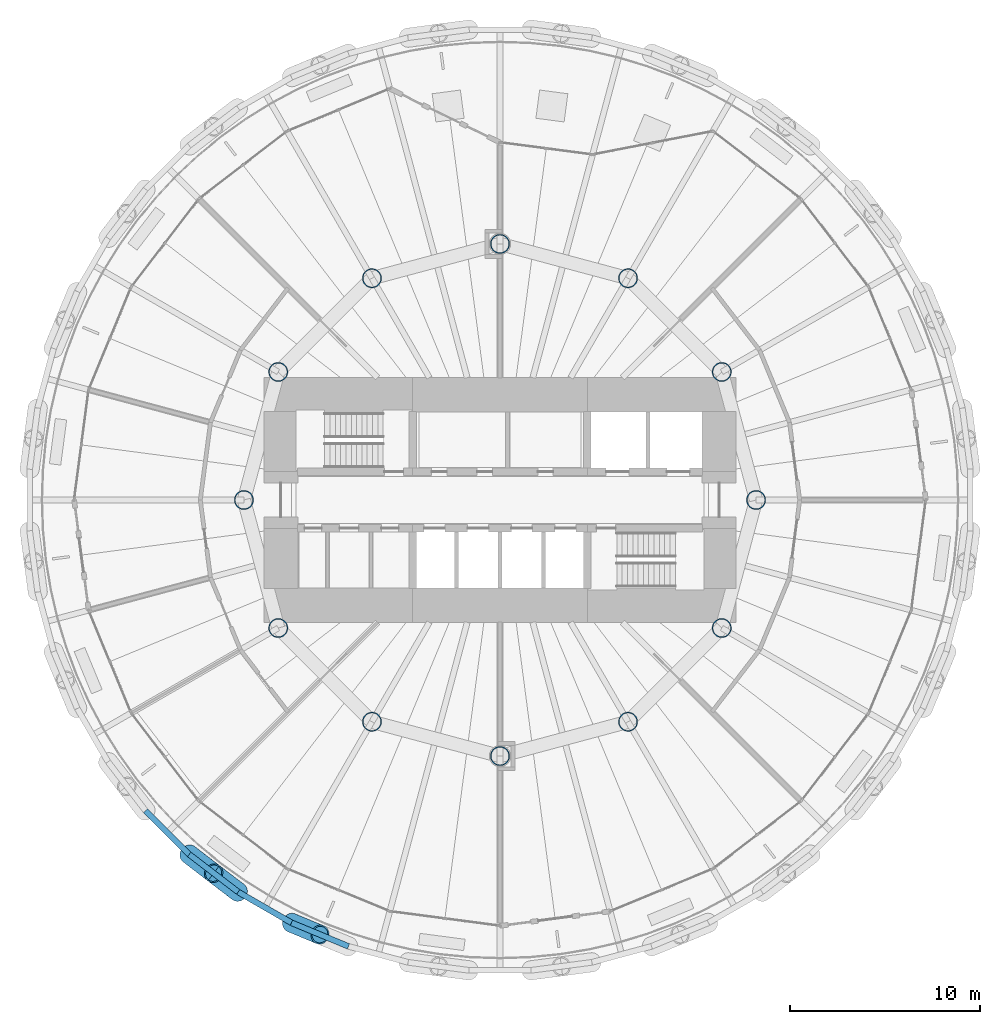
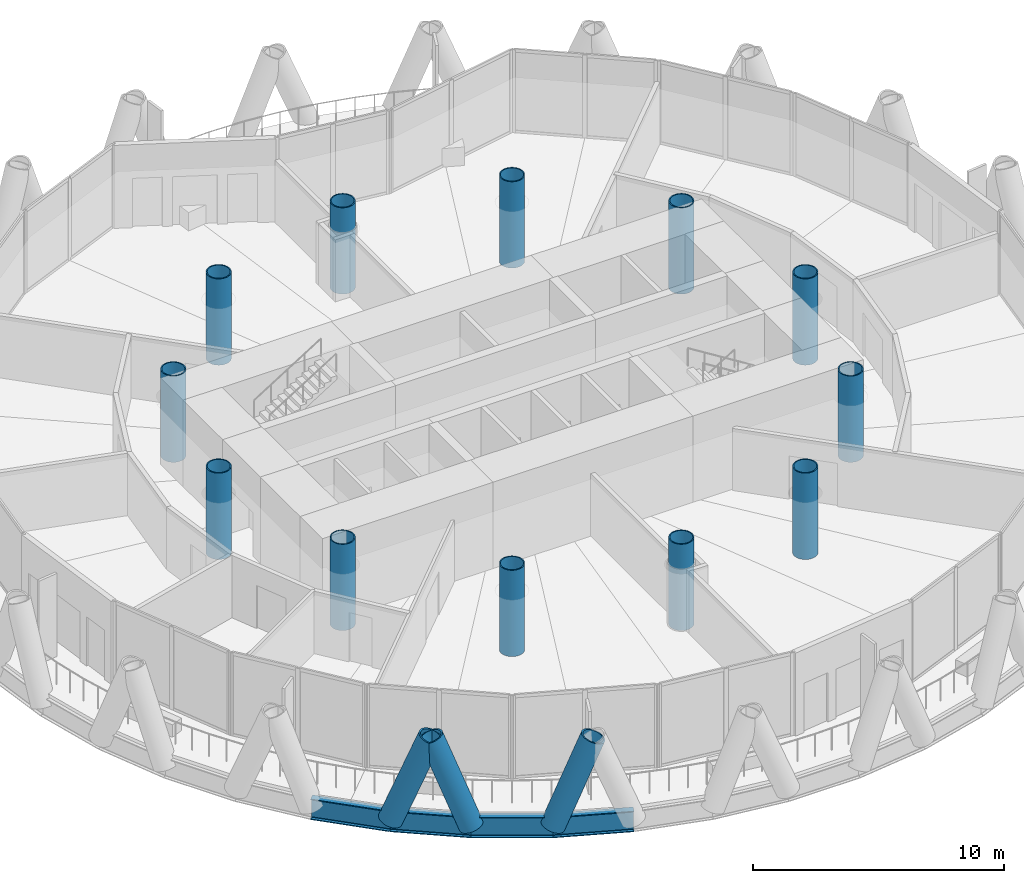
# One storey, part 1 of 15: 12 columns, 4 beams, 3 members.
"""IFC4 building model written with IfcOpenShell, lengths in metres."""

import ifcopenshell
import ifcopenshell.guid

model = None  # the IFC model being written
_history = None  # IfcOwnerHistory: only IFC2X3 demands one
_inside = {}  # id of a spatial element -> (the spatial element, [elements in it])
_under = {}  # id of a project, library or spatial element -> (it, [spatial elements below it])
_declared = {}  # id of a project -> (the project, [libraries it declares])
_typed = {}  # id of a type object -> (the type object, [elements of that type])
_made_of = {}  # id of a material, layer set ... -> (it, [elements and type objects made of it])


def new_model(schema):
    """Start an empty IFC model of exactly this schema.

    Asked for "IFC4X3", IfcOpenShell would pick the latest addendum, in which some entities
    have other attributes; the version numbers below select the first issue.
    IFC2X3 requires an IfcOwnerHistory on every rooted entity: one is made here for all.
    """
    global model, _history
    if schema == "IFC4X3":
        model = ifcopenshell.file(schema_version=(4, 3, 0, 0))
    else:
        model = ifcopenshell.file(schema=schema)
    _inside.clear()
    _under.clear()
    _declared.clear()
    _typed.clear()
    _made_of.clear()
    _history = None
    if model.schema == "IFC2X3":
        org = make("IfcOrganization", Name="unknown")
        user = make(
            "IfcPersonAndOrganization",
            ThePerson=make("IfcPerson", FamilyName="unknown"),
            TheOrganization=org,
        )
        app = make(
            "IfcApplication",
            ApplicationDeveloper=org,
            Version="unknown",
            ApplicationFullName="unknown",
            ApplicationIdentifier="unknown",
        )
        _history = make(
            "IfcOwnerHistory",
            OwningUser=user,
            OwningApplication=app,
            ChangeAction="ADDED",
            CreationDate=0,
        )
    return model


def make(cls, **values):
    """One entity of the class cls with the attributes given. An attribute that is None is left unset."""
    return model.create_entity(
        cls, **{name: value for name, value in values.items() if value is not None}
    )


def rooted(cls, **values):
    """An entity with a GlobalId (a new one), such as an element, a storey or a relation."""
    return make(cls, GlobalId=ifcopenshell.guid.new(), OwnerHistory=_history, **values)


def si_unit(unit_type, name, prefix=None):
    """IfcSIUnit, for example si_unit("LENGTHUNIT", "METRE", prefix="MILLI")."""
    return make("IfcSIUnit", UnitType=unit_type, Prefix=prefix, Name=name)


def assignment(units):
    """IfcUnitAssignment: the units of a project."""
    return None if units is None else make("IfcUnitAssignment", Units=units)


def point(xyz):
    """IfcCartesianPoint."""
    return None if xyz is None else make("IfcCartesianPoint", Coordinates=xyz)


def direction(xyz):
    """IfcDirection."""
    return None if xyz is None else make("IfcDirection", DirectionRatios=xyz)


def frame(location, z_axis=None, x_axis=None):
    """IfcAxis2Placement3D, a coordinate frame: its origin and axes. An axis left out is left unset."""
    return make(
        "IfcAxis2Placement3D",
        Location=point(location),
        Axis=direction(z_axis),
        RefDirection=direction(x_axis),
    )


def frame_2d(location, x_axis=None):
    """IfcAxis2Placement2D, a coordinate frame in the plane: its origin and x axis."""
    return make(
        "IfcAxis2Placement2D", Location=point(location), RefDirection=direction(x_axis)
    )


def origin():
    """The frame at (0, 0, 0) with its axes left unset."""
    return frame((0.0, 0.0, 0.0))


def origin_2d():
    """The frame at (0, 0) in the plane with its x axis left unset."""
    return frame_2d((0.0, 0.0))


def place(relative_to, where):
    """IfcLocalPlacement: puts the frame where relative to a parent placement (None: the world)."""
    return make(
        "IfcLocalPlacement", PlacementRelTo=relative_to, RelativePlacement=where
    )


def context(
    kind, dimensions, precision=None, world=None, true_north=None, identifier=None
):
    """IfcGeometricRepresentationContext, for example the 3D "Model" context."""
    return make(
        "IfcGeometricRepresentationContext",
        ContextIdentifier=identifier,
        ContextType=kind,
        CoordinateSpaceDimension=dimensions,
        Precision=precision,
        WorldCoordinateSystem=world,
        TrueNorth=true_north,
    )


def subcontext(parent, identifier, kind, view, scale=None):
    """IfcGeometricRepresentationSubContext, for example "Body" below "Model"."""
    return make(
        "IfcGeometricRepresentationSubContext",
        ContextIdentifier=identifier,
        ContextType=kind,
        ParentContext=parent,
        TargetScale=scale,
        TargetView=view,
    )


def project(units=None, contexts=None):
    """IfcProject with its units and contexts."""
    return rooted(
        "IfcProject",
        Name="project",
        RepresentationContexts=contexts,
        UnitsInContext=assignment(units),
    )


def spatial(cls, under=None, at=None, **own):
    """A site, building, storey or space (cls), placed at a placement, below another one or the project."""
    s = rooted(cls, ObjectPlacement=at, **own)
    if under is not None:
        _under.setdefault(under.id(), (under, []))[1].append(s)
    return s


def profile(cls, at=None, kind="AREA", **sizes):
    """A parametric profile (cls). Its sizes go by their IFC names, for example OverallWidth=200.0."""
    return make(cls, ProfileType=kind, Position=at, **sizes)


def hollow_circle(**sizes):
    """IfcCircleHollowProfileDef."""
    return profile("IfcCircleHollowProfileDef", **sizes)


def i_section(**sizes):
    """IfcIShapeProfileDef."""
    return profile("IfcIShapeProfileDef", **sizes)


def extrude(swept, where, along, depth):
    """IfcExtrudedAreaSolid: the profile swept, set in the frame where, extruded along a direction by depth."""
    return make(
        "IfcExtrudedAreaSolid",
        SweptArea=swept,
        Position=where,
        ExtrudedDirection=direction(along),
        Depth=depth,
    )


def shape(context_of_items, identifier, shape_type, items):
    """IfcShapeRepresentation: the items that make up one representation, for example the "Body"."""
    return make(
        "IfcShapeRepresentation",
        ContextOfItems=context_of_items,
        RepresentationIdentifier=identifier,
        RepresentationType=shape_type,
        Items=items,
    )


def material(Name=None, Category=None):
    """IfcMaterial."""
    return make("IfcMaterial", Name=Name, Category=Category)


def material_profile(
    of_material, cross_section, Name=None, Category=None, Priority=None
):
    """IfcMaterialProfile: a cross section and its material."""
    return make(
        "IfcMaterialProfile",
        Name=Name,
        Material=of_material,
        Profile=cross_section,
        Priority=Priority,
        Category=Category,
    )


def profile_set(profiles, Name=None, composite=None):
    """IfcMaterialProfileSet."""
    return make(
        "IfcMaterialProfileSet",
        Name=Name,
        MaterialProfiles=profiles,
        CompositeProfile=composite,
    )


def made_of(thing, what):
    """Note that an element or type object is made of a material, layer set ...; save() writes the relation."""
    if what is not None:
        _made_of.setdefault(what.id(), (what, []))[1].append(thing)
    return thing


def type_object(cls, material=None, **own):
    """A type object (cls), such as IfcWallType, which elements share."""
    return made_of(rooted(cls, **own), material)


def element(
    cls,
    number,
    at=None,
    inside=None,
    cuts=None,
    type_object=None,
    material=None,
    context=None,
    identifier="Body",
    shape_type=None,
    held_by="IfcProductDefinitionShape",
    body=None,
    shapes=None,
    **own,
):
    """One element of the class cls, such as IfcWall. Its Tag is "e" and its number.

    at: its placement. inside: the storey or other place that contains it. cuts: it is an
    opening in that element (IfcRelVoidsElement). A single representation is given by context,
    identifier, shape_type and body (its items); several are given by shapes. held_by: the class
    of the entity that holds the representations. save() writes the other relations.
    """
    e = rooted(cls, Tag="e%d" % number, ObjectPlacement=at, **own)
    if body is not None:
        shapes = [shape(context, identifier, shape_type, body)]
    if shapes is not None:
        e.Representation = make(held_by, Representations=shapes)
    if inside is not None:
        _inside.setdefault(inside.id(), (inside, []))[1].append(e)
    if cuts is not None:
        rooted(
            "IfcRelVoidsElement", RelatingBuildingElement=cuts, RelatedOpeningElement=e
        )
    if type_object is not None:
        _typed.setdefault(type_object.id(), (type_object, []))[1].append(e)
    return made_of(e, material)


def aggregate(whole, parts):
    """IfcRelAggregates: a whole, such as a stair, and the parts it consists of."""
    return rooted("IfcRelAggregates", RelatingObject=whole, RelatedObjects=parts)


def save(model, path):
    """Write the relations noted so far, then the file.

    IfcRelAggregates (storeys below a building ...), IfcRelContainedInSpatialStructure (elements
    in a storey), IfcRelDefinesByType, IfcRelAssociatesMaterial and IfcRelDeclares: one each for
    every whole, place, type object, material and project.
    """
    for whole, parts in _under.values():
        aggregate(whole, parts)
    for where, things in _inside.values():
        rooted(
            "IfcRelContainedInSpatialStructure",
            RelatedElements=things,
            RelatingStructure=where,
        )
    for kind, things in _typed.values():
        rooted("IfcRelDefinesByType", RelatedObjects=things, RelatingType=kind)
    for what, things in _made_of.values():
        rooted("IfcRelAssociatesMaterial", RelatedObjects=things, RelatingMaterial=what)
    for by, libraries in _declared.values():
        rooted("IfcRelDeclares", RelatingContext=by, RelatedDefinitions=libraries)
    model.write(path)


model = new_model("IFC4")

# Units and contexts
model_context = context("Model", 3, precision=1e-05, world=origin(), true_north=direction((0.0, 1.0)))
body_context = subcontext(model_context, "Body", "Model", "MODEL_VIEW")
ifc_project = project(units=[si_unit("LENGTHUNIT", "METRE"), si_unit("AREAUNIT", "SQUARE_METRE"), si_unit("VOLUMEUNIT", "CUBIC_METRE"), si_unit("PLANEANGLEUNIT", "RADIAN"), si_unit("MASSUNIT", "GRAM", prefix="KILO")], contexts=[model_context])

# Site, building, storey
site_placement = place(None, origin())
site = spatial("IfcSite", under=ifc_project, at=site_placement, CompositionType="ELEMENT")
building_placement = place(site_placement, origin())
building = spatial("IfcBuilding", under=site, at=building_placement, Name="Qaws Media Tower", CompositionType="ELEMENT")
storey_placement = place(building_placement, frame((0.0, 0.0, 147.800048828125)))
storey = spatial("IfcBuildingStorey", under=building, at=storey_placement, Name="L33", CompositionType="ELEMENT", Elevation=147.800048828125)

# Columns
ifc_material_1 = material(Name="Steel S460", Category="steel")
ifc_material_profile_1 = material_profile(ifc_material_1, hollow_circle(Radius=0.508056640625, WallThickness=0.050048828125, at=origin_2d()), Name="CHS 1016x50")
ifc_profile_set_1 = profile_set([ifc_material_profile_1], Name="Steel S460")
column_type = type_object("IfcColumnType", Name="Inner column CHS 1016x50", PredefinedType="COLUMN", material=ifc_profile_set_1)
for number, where, z_axis, x_axis, name in (
    (1, (73.5, 50.0, 0.0), (0.0, 0.0, 1.0), (1.0, 0.0, 0.0), "C2 inner column I01 L33"),
    (2, (71.69140625, 56.75, 0.0), (0.0, 0.0, 1.0), (1.0, 0.0, 0.0), "C2 inner column I02 L33"),
    (3, (66.75, 61.69140625, 0.0), (0.0, 0.0, 1.0), (1.0, 0.0, 0.0), "C2 inner column I03 L33"),
    (4, (60.0, 63.5, 0.0), (0.0, 0.0, 1.0), (1.0, 0.0, 0.0), "C2 inner column I04 L33"),
    (5, (53.25, 61.69140625, 0.0), (0.0, 0.0, 1.0), (1.0, 0.0, 0.0), "C2 inner column I05 L33"),
    (6, (48.30859375, 56.75, 0.0), (0.0, 0.0, 1.0), (1.0, 0.0, 0.0), "C2 inner column I06 L33"),
    (7, (46.5, 50.0, 0.0), (0.0, 0.0, 1.0), (1.0, 0.0, 0.0), "C2 inner column I07 L33"),
    (8, (48.30859375, 43.25, 0.0), (0.0, 0.0, 1.0), (1.0, 0.0, 0.0), "C2 inner column I08 L33"),
    (9, (53.25, 38.30859375, 0.0), (0.0, 0.0, 1.0), (1.0, 0.0, 0.0), "C2 inner column I09 L33"),
    (10, (60.0, 36.5, 0.0), (0.0, 0.0, 1.0), (1.0, 0.0, 0.0), "C2 inner column I10 L33"),
    (11, (66.75, 38.30859375, 0.0), (0.0, 0.0, 1.0), (1.0, 0.0, 0.0), "C2 inner column I11 L33"),
    (12, (71.69140625, 43.25, 0.0), (0.0, 0.0, 1.0), (1.0, 0.0, 0.0), "C2 inner column I12 L33"),
):
    element("IfcColumn", number, at=place(storey_placement, frame(where, z_axis=z_axis, x_axis=x_axis)), inside=storey, type_object=column_type, Name=name, PredefinedType="COLUMN", context=body_context, shape_type="SweptSolid", body=[
        extrude(hollow_circle(Radius=0.508056640625, WallThickness=0.050048828125, at=origin_2d()), origin(), (0.0, 0.0, 1.0), 4.199951171875),
    ])

# Members
ifc_material_2 = material(Name="Steel S460", Category="steel")
ifc_material_profile_2 = material_profile(ifc_material_2, hollow_circle(Radius=0.508056640625, WallThickness=0.070068359375, at=origin_2d()), Name="CHS 1016x70")
ifc_profile_set_2 = profile_set([ifc_material_profile_2], Name="Steel S460")
member_type = type_object("IfcMemberType", Name="Diagrid member CHS 1016x70", PredefinedType="USERDEFINED", material=ifc_profile_set_2)
for number, where, z_axis, x_axis, name in (
    (13, (43.615234375, 31.31689453125, -0.6640625), (0.285910882136, -0.220260886257, 0.932598578951), (0.61028406159, 0.792182658337, 0.0), "DG3 diagrid L33 A16"),
    (14, (49.009033203125, 27.712646484375, -0.6640625), (0.333183827093, -0.138727206888, 0.932600289209), (0.384380728682, 0.923174661382, 0.0), "DG3 diagrid L33 A17"),
    (15, (46.194091796875, 29.337890625, -0.6640625), (-0.286725601393, 0.219177842018, 0.932603615195), (-0.60730513351, -0.794468674532, 0.0), "DG3 diagrid L33 B17"),
):
    element("IfcMember", number, at=place(storey_placement, frame(where, z_axis=z_axis, x_axis=x_axis)), inside=storey, type_object=member_type, Name=name, ObjectType="DIAGRID", PredefinedType="USERDEFINED", context=body_context, shape_type="SweptSolid", body=[
        extrude(hollow_circle(Radius=0.508056640625, WallThickness=0.070068359375, at=origin_2d()), origin(), (0.0, 0.0, 1.0), 4.50341796875),
    ])

# Beams
ifc_material_3 = material(Name="Steel S460", Category="steel")
ifc_material_profile_3 = material_profile(ifc_material_3, i_section(OverallWidth=0.302001953125, OverallDepth=1.008056640625, WebThickness=0.02099609375, FlangeThickness=0.0400390625, FilletRadius=0.030029296875, at=origin_2d()), Name="HE 1000 M")
ifc_profile_set_3 = profile_set([ifc_material_profile_3], Name="Steel S460")
beam_type = type_object("IfcBeamType", Name="Edge ring beam HE 1000 M", PredefinedType="BEAM", material=ifc_profile_set_3)
beam_1_placement = place(storey_placement, frame((41.31689453125, 33.615234375, -0.6640625), z_axis=(0.707106781187, -0.707106781187, 0.0), x_axis=(0.707106781187, 0.707106781187, 0.0)))
element("IfcBeam", 16, at=beam_1_placement, inside=storey, type_object=beam_type, Name="RB3 edge ring beam L33-30", PredefinedType="BEAM", context=body_context, shape_type="SweptSolid", body=[
    extrude(i_section(OverallWidth=0.302001953125, OverallDepth=1.008056640625, WebThickness=0.02099609375, FlangeThickness=0.0400390625, FilletRadius=0.030029296875, at=origin_2d()), origin(), (0.0, 0.0, 1.0), 3.250244140625),
])
beam_2_placement = place(storey_placement, frame((43.615234375, 31.31689453125, -0.6640625), z_axis=(0.793327040969, -0.60879570142, 0.0), x_axis=(0.60879570142, 0.793327040969, 0.0)))
element("IfcBeam", 17, at=beam_2_placement, inside=storey, type_object=beam_type, Name="RB3 edge ring beam L33-31", PredefinedType="BEAM", context=body_context, shape_type="SweptSolid", body=[
    extrude(i_section(OverallWidth=0.302001953125, OverallDepth=1.008056640625, WebThickness=0.02099609375, FlangeThickness=0.0400390625, FilletRadius=0.030029296875, at=origin_2d()), origin(), (0.0, 0.0, 1.0), 3.250732421875),
])
for number, where, z_axis, x_axis, name in (
    (18, (46.194091796875, 29.337890625, -0.6640625), (0.866020479782, -0.500008528526, 0.0), (0.500008528526, 0.866020479782, 0.0), "RB3 edge ring beam L33-32"),
    (19, (49.009033203125, 27.712646484375, -0.6640625), (0.923885932757, -0.38266798044, 0.0), (0.38266798044, 0.923885932757, 0.0), "RB3 edge ring beam L33-33"),
):
    element("IfcBeam", number, at=place(storey_placement, frame(where, z_axis=z_axis, x_axis=x_axis)), inside=storey, type_object=beam_type, Name=name, PredefinedType="BEAM", context=body_context, shape_type="SweptSolid", body=[
        extrude(i_section(OverallWidth=0.302001953125, OverallDepth=1.008056640625, WebThickness=0.02099609375, FlangeThickness=0.0400390625, FilletRadius=0.030029296875, at=origin_2d()), origin(), (0.0, 0.0, 1.0), 3.25048828125),
    ])

save(model, "model.ifc")
